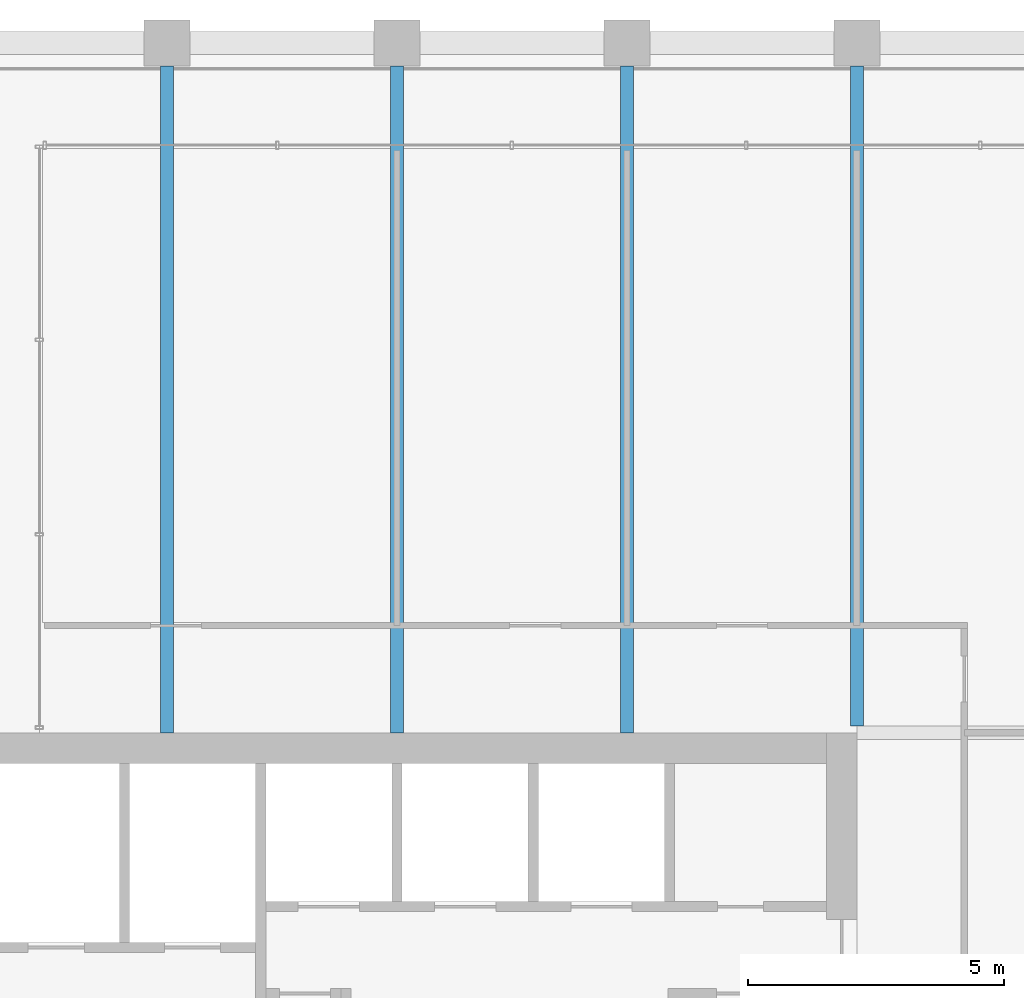
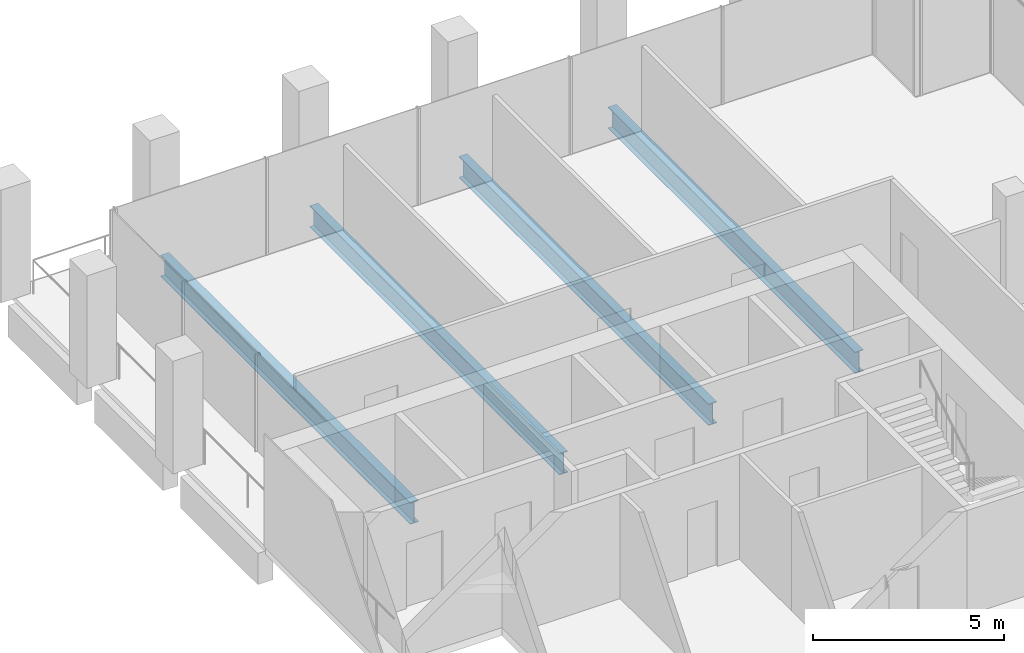
# One storey, part 22 of 40: 4 beams.
"""IFC4 building model written with IfcOpenShell, lengths in metres."""

import ifcopenshell
import ifcopenshell.guid

model = None  # the IFC model being written
_history = None  # IfcOwnerHistory: only IFC2X3 demands one
_inside = {}  # id of a spatial element -> (the spatial element, [elements in it])
_under = {}  # id of a project, library or spatial element -> (it, [spatial elements below it])
_declared = {}  # id of a project -> (the project, [libraries it declares])
_typed = {}  # id of a type object -> (the type object, [elements of that type])
_made_of = {}  # id of a material, layer set ... -> (it, [elements and type objects made of it])


def new_model(schema):
    """Start an empty IFC model of exactly this schema.

    Asked for "IFC4X3", IfcOpenShell would pick the latest addendum, in which some entities
    have other attributes; the version numbers below select the first issue.
    IFC2X3 requires an IfcOwnerHistory on every rooted entity: one is made here for all.
    """
    global model, _history
    if schema == "IFC4X3":
        model = ifcopenshell.file(schema_version=(4, 3, 0, 0))
    else:
        model = ifcopenshell.file(schema=schema)
    _inside.clear()
    _under.clear()
    _declared.clear()
    _typed.clear()
    _made_of.clear()
    _history = None
    if model.schema == "IFC2X3":
        org = make("IfcOrganization", Name="unknown")
        user = make(
            "IfcPersonAndOrganization",
            ThePerson=make("IfcPerson", FamilyName="unknown"),
            TheOrganization=org,
        )
        app = make(
            "IfcApplication",
            ApplicationDeveloper=org,
            Version="unknown",
            ApplicationFullName="unknown",
            ApplicationIdentifier="unknown",
        )
        _history = make(
            "IfcOwnerHistory",
            OwningUser=user,
            OwningApplication=app,
            ChangeAction="ADDED",
            CreationDate=0,
        )
    return model


def make(cls, **values):
    """One entity of the class cls with the attributes given. An attribute that is None is left unset."""
    return model.create_entity(
        cls, **{name: value for name, value in values.items() if value is not None}
    )


def rooted(cls, **values):
    """An entity with a GlobalId (a new one), such as an element, a storey or a relation."""
    return make(cls, GlobalId=ifcopenshell.guid.new(), OwnerHistory=_history, **values)


def si_unit(unit_type, name, prefix=None):
    """IfcSIUnit, for example si_unit("LENGTHUNIT", "METRE", prefix="MILLI")."""
    return make("IfcSIUnit", UnitType=unit_type, Prefix=prefix, Name=name)


def assignment(units):
    """IfcUnitAssignment: the units of a project."""
    return None if units is None else make("IfcUnitAssignment", Units=units)


def point(xyz):
    """IfcCartesianPoint."""
    return None if xyz is None else make("IfcCartesianPoint", Coordinates=xyz)


def direction(xyz):
    """IfcDirection."""
    return None if xyz is None else make("IfcDirection", DirectionRatios=xyz)


def frame(location, z_axis=None, x_axis=None):
    """IfcAxis2Placement3D, a coordinate frame: its origin and axes. An axis left out is left unset."""
    return make(
        "IfcAxis2Placement3D",
        Location=point(location),
        Axis=direction(z_axis),
        RefDirection=direction(x_axis),
    )


def frame_2d(location, x_axis=None):
    """IfcAxis2Placement2D, a coordinate frame in the plane: its origin and x axis."""
    return make(
        "IfcAxis2Placement2D", Location=point(location), RefDirection=direction(x_axis)
    )


def origin():
    """The frame at (0, 0, 0) with its axes left unset."""
    return frame((0.0, 0.0, 0.0))


def origin_2d():
    """The frame at (0, 0) in the plane with its x axis left unset."""
    return frame_2d((0.0, 0.0))


def place(relative_to, where):
    """IfcLocalPlacement: puts the frame where relative to a parent placement (None: the world)."""
    return make(
        "IfcLocalPlacement", PlacementRelTo=relative_to, RelativePlacement=where
    )


def context(
    kind, dimensions, precision=None, world=None, true_north=None, identifier=None
):
    """IfcGeometricRepresentationContext, for example the 3D "Model" context."""
    return make(
        "IfcGeometricRepresentationContext",
        ContextIdentifier=identifier,
        ContextType=kind,
        CoordinateSpaceDimension=dimensions,
        Precision=precision,
        WorldCoordinateSystem=world,
        TrueNorth=true_north,
    )


def subcontext(parent, identifier, kind, view, scale=None):
    """IfcGeometricRepresentationSubContext, for example "Body" below "Model"."""
    return make(
        "IfcGeometricRepresentationSubContext",
        ContextIdentifier=identifier,
        ContextType=kind,
        ParentContext=parent,
        TargetScale=scale,
        TargetView=view,
    )


def project(units=None, contexts=None):
    """IfcProject with its units and contexts."""
    return rooted(
        "IfcProject",
        Name="project",
        RepresentationContexts=contexts,
        UnitsInContext=assignment(units),
    )


def spatial(cls, under=None, at=None, **own):
    """A site, building, storey or space (cls), placed at a placement, below another one or the project."""
    s = rooted(cls, ObjectPlacement=at, **own)
    if under is not None:
        _under.setdefault(under.id(), (under, []))[1].append(s)
    return s


def profile(cls, at=None, kind="AREA", **sizes):
    """A parametric profile (cls). Its sizes go by their IFC names, for example OverallWidth=200.0."""
    return make(cls, ProfileType=kind, Position=at, **sizes)


def i_section(**sizes):
    """IfcIShapeProfileDef."""
    return profile("IfcIShapeProfileDef", **sizes)


def extrude(swept, where, along, depth):
    """IfcExtrudedAreaSolid: the profile swept, set in the frame where, extruded along a direction by depth."""
    return make(
        "IfcExtrudedAreaSolid",
        SweptArea=swept,
        Position=where,
        ExtrudedDirection=direction(along),
        Depth=depth,
    )


def shape(context_of_items, identifier, shape_type, items):
    """IfcShapeRepresentation: the items that make up one representation, for example the "Body"."""
    return make(
        "IfcShapeRepresentation",
        ContextOfItems=context_of_items,
        RepresentationIdentifier=identifier,
        RepresentationType=shape_type,
        Items=items,
    )


def material(Name=None, Category=None):
    """IfcMaterial."""
    return make("IfcMaterial", Name=Name, Category=Category)


def material_profile(
    of_material, cross_section, Name=None, Category=None, Priority=None
):
    """IfcMaterialProfile: a cross section and its material."""
    return make(
        "IfcMaterialProfile",
        Name=Name,
        Material=of_material,
        Profile=cross_section,
        Priority=Priority,
        Category=Category,
    )


def profile_set(profiles, Name=None, composite=None):
    """IfcMaterialProfileSet."""
    return make(
        "IfcMaterialProfileSet",
        Name=Name,
        MaterialProfiles=profiles,
        CompositeProfile=composite,
    )


def made_of(thing, what):
    """Note that an element or type object is made of a material, layer set ...; save() writes the relation."""
    if what is not None:
        _made_of.setdefault(what.id(), (what, []))[1].append(thing)
    return thing


def type_object(cls, material=None, **own):
    """A type object (cls), such as IfcWallType, which elements share."""
    return made_of(rooted(cls, **own), material)


def element(
    cls,
    number,
    at=None,
    inside=None,
    cuts=None,
    type_object=None,
    material=None,
    context=None,
    identifier="Body",
    shape_type=None,
    held_by="IfcProductDefinitionShape",
    body=None,
    shapes=None,
    **own,
):
    """One element of the class cls, such as IfcWall. Its Tag is "e" and its number.

    at: its placement. inside: the storey or other place that contains it. cuts: it is an
    opening in that element (IfcRelVoidsElement). A single representation is given by context,
    identifier, shape_type and body (its items); several are given by shapes. held_by: the class
    of the entity that holds the representations. save() writes the other relations.
    """
    e = rooted(cls, Tag="e%d" % number, ObjectPlacement=at, **own)
    if body is not None:
        shapes = [shape(context, identifier, shape_type, body)]
    if shapes is not None:
        e.Representation = make(held_by, Representations=shapes)
    if inside is not None:
        _inside.setdefault(inside.id(), (inside, []))[1].append(e)
    if cuts is not None:
        rooted(
            "IfcRelVoidsElement", RelatingBuildingElement=cuts, RelatedOpeningElement=e
        )
    if type_object is not None:
        _typed.setdefault(type_object.id(), (type_object, []))[1].append(e)
    return made_of(e, material)


def aggregate(whole, parts):
    """IfcRelAggregates: a whole, such as a stair, and the parts it consists of."""
    return rooted("IfcRelAggregates", RelatingObject=whole, RelatedObjects=parts)


def save(model, path):
    """Write the relations noted so far, then the file.

    IfcRelAggregates (storeys below a building ...), IfcRelContainedInSpatialStructure (elements
    in a storey), IfcRelDefinesByType, IfcRelAssociatesMaterial and IfcRelDeclares: one each for
    every whole, place, type object, material and project.
    """
    for whole, parts in _under.values():
        aggregate(whole, parts)
    for where, things in _inside.values():
        rooted(
            "IfcRelContainedInSpatialStructure",
            RelatedElements=things,
            RelatingStructure=where,
        )
    for kind, things in _typed.values():
        rooted("IfcRelDefinesByType", RelatedObjects=things, RelatingType=kind)
    for what, things in _made_of.values():
        rooted("IfcRelAssociatesMaterial", RelatedObjects=things, RelatingMaterial=what)
    for by, libraries in _declared.values():
        rooted("IfcRelDeclares", RelatingContext=by, RelatedDefinitions=libraries)
    model.write(path)


model = new_model("IFC4")

# Units and contexts
model_context = context("Model", 3, precision=1e-05, world=origin(), true_north=direction((0.0, 1.0)))
body_context = subcontext(model_context, "Body", "Model", "MODEL_VIEW")
ifc_project = project(units=[si_unit("LENGTHUNIT", "METRE"), si_unit("AREAUNIT", "SQUARE_METRE"), si_unit("VOLUMEUNIT", "CUBIC_METRE"), si_unit("PLANEANGLEUNIT", "RADIAN"), si_unit("MASSUNIT", "GRAM", prefix="KILO")], contexts=[model_context])

# Site, building, storey
site_placement = place(None, origin())
site = spatial("IfcSite", under=ifc_project, at=site_placement, CompositionType="ELEMENT")
building_placement = place(site_placement, origin())
building = spatial("IfcBuilding", under=site, at=building_placement, Name="Altepetl Exchange Towers", CompositionType="ELEMENT")
storey_placement = place(building_placement, frame((0.0, 0.0, 169.0)))
storey = spatial("IfcBuildingStorey", under=building, at=storey_placement, Name="L42", CompositionType="ELEMENT", Elevation=169.0)

# Beams
ifc_material = material(Name="Steel S355", Category="steel")
ifc_material_profile = material_profile(ifc_material, i_section(OverallWidth=0.25390625, OverallDepth=0.68408203125, WebThickness=0.012451171875, FlangeThickness=0.018798828125, at=origin_2d()), Name="W27X94")
ifc_profile_set = profile_set([ifc_material_profile], Name="Steel S355")
beam_type = type_object("IfcBeamType", Name="Floor beam W27X94", PredefinedType="BEAM", material=ifc_profile_set)
for number, where, z_axis, x_axis, name in (
    (1, (45.0, 58.5, -0.491943359375), (0.0, 1.0, 0.0), (-1.0, 0.0, 0.0), "bm:A:L42:000"),
    (2, (49.5, 58.5, -0.491943359375), (0.0, 1.0, 0.0), (-1.0, 0.0, 0.0), "bm:A:L42:001"),
    (3, (54.0, 58.5, -0.491943359375), (0.0, 1.0, 0.0), (-1.0, 0.0, 0.0), "bm:A:L42:002"),
):
    element("IfcBeam", number, at=place(storey_placement, frame(where, z_axis=z_axis, x_axis=x_axis)), inside=storey, type_object=beam_type, Name=name, PredefinedType="BEAM", context=body_context, shape_type="SweptSolid", body=[
        extrude(i_section(OverallWidth=0.25390625, OverallDepth=0.68408203125, WebThickness=0.012451171875, FlangeThickness=0.018798828125, at=origin_2d()), origin(), (0.0, 0.0, 1.0), 13.050048828125),
    ])
beam_placement = place(storey_placement, frame((58.5, 58.634033203125, -0.491943359375), z_axis=(0.0, 1.0, 0.0), x_axis=(-1.0, 0.0, 0.0)))
element("IfcBeam", 4, at=beam_placement, inside=storey, type_object=beam_type, Name="bm:A:L42:003", PredefinedType="BEAM", context=body_context, shape_type="SweptSolid", body=[
    extrude(i_section(OverallWidth=0.25390625, OverallDepth=0.68408203125, WebThickness=0.012451171875, FlangeThickness=0.018798828125, at=origin_2d()), origin(), (0.0, 0.0, 1.0), 12.916015625),
])

save(model, "model.ifc")
